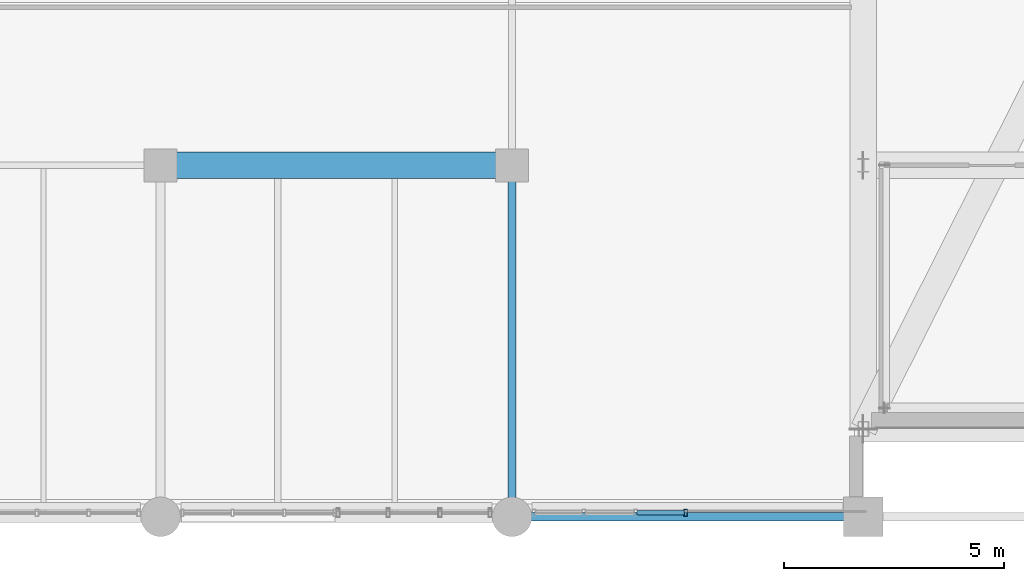
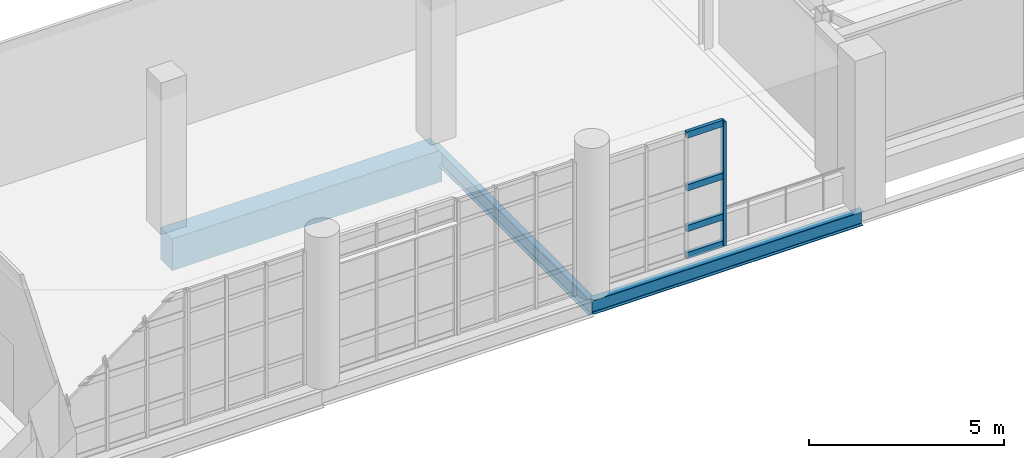
# One storey, part 18 of 100: 5 members, 3 beams, 1 element without a shape of its own.
"""IFC4 building model written with IfcOpenShell, lengths in metres."""

from ifc_helpers import new_model, si_unit, derived_unit, direction, frame, origin, origin_2d, place, context, subcontext, project, spatial, rectangle, hollow_rectangle, i_section, extrude, material, layer, layer_set, material_profile, profile_set, type_object, element, aggregate, save


model = new_model("IFC4")

# Units and contexts
model_context = context("Model", 3, precision=1e-05, world=origin(), true_north=direction((0.0, 1.0)))
body_context = subcontext(model_context, "Body", "Model", "MODEL_VIEW")
ifc_project = project(units=[si_unit("LENGTHUNIT", "METRE"), si_unit("AREAUNIT", "SQUARE_METRE"), si_unit("VOLUMEUNIT", "CUBIC_METRE"), si_unit("PLANEANGLEUNIT", "RADIAN"), si_unit("MASSUNIT", "GRAM", prefix="KILO"), derived_unit("THERMALTRANSMITTANCEUNIT", [(si_unit("POWERUNIT", "WATT"), 1), (si_unit("LENGTHUNIT", "METRE"), -2), (si_unit("THERMODYNAMICTEMPERATUREUNIT", "KELVIN"), -1)])], contexts=[model_context])

# Site, building, storey
site_placement = place(None, origin())
site = spatial("IfcSite", under=ifc_project, at=site_placement, CompositionType="ELEMENT")
building_placement = place(site_placement, origin())
building = spatial("IfcBuilding", under=site, at=building_placement, Name="Nallur Shell Playhouse", CompositionType="ELEMENT")
storey_placement = place(building_placement, frame((0.0, 0.0, 10.199951171875)))
storey = spatial("IfcBuildingStorey", under=building, at=storey_placement, Name="L03", CompositionType="ELEMENT", Elevation=10.199951171875)

# Beams
ifc_material_1 = material(Name="Concrete M40", Category="concrete")
ifc_material_profile_1 = material_profile(ifc_material_1, rectangle(XDim=0.60009765625, YDim=1.0, at=origin_2d()), Name="RC 600x1000")
ifc_profile_set_1 = profile_set([ifc_material_profile_1], Name="Concrete M40")
beam_type_1 = type_object("IfcBeamType", Name="BM-RC-600x1000", PredefinedType="BEAM", material=ifc_profile_set_1)
beam_1_placement = place(storey_placement, frame((48.0, 16.0, -0.760009765625), z_axis=(1.0, 0.0, 0.0), x_axis=(0.0, 1.0, 0.0)))
element("IfcBeam", 1, at=beam_1_placement, inside=storey, type_object=beam_type_1, Name="L03 girder X-B-588", PredefinedType="BEAM", context=body_context, shape_type="SweptSolid", body=[
    extrude(rectangle(XDim=0.60009765625, YDim=1.0, at=origin_2d()), origin(), (0.0, 0.0, 1.0), 8.0),
])
ifc_material_2 = material(Name="Steel E350", Category="steel")
ifc_material_profile_2 = material_profile(ifc_material_2, i_section(OverallWidth=0.179931640625, OverallDepth=0.5, WebThickness=0.01025390625, FlangeThickness=0.01708984375, FilletRadius=0.01708984375, at=origin_2d()), Name="ISMB 500")
ifc_profile_set_2 = profile_set([ifc_material_profile_2], Name="Steel E350")
beam_type_2 = type_object("IfcBeamType", Name="BM-ST-ISMB500", PredefinedType="BEAM", material=ifc_profile_set_2)
beam_2_placement = place(storey_placement, frame((56.0, 8.0, -0.510009765625), z_axis=(0.0, 1.0, 0.0), x_axis=(-1.0, 0.0, 0.0)))
element("IfcBeam", 2, at=beam_2_placement, inside=storey, type_object=beam_type_2, Name="L03 girder Y-7-650", PredefinedType="BEAM", context=body_context, shape_type="SweptSolid", body=[
    extrude(i_section(OverallWidth=0.179931640625, OverallDepth=0.5, WebThickness=0.01025390625, FlangeThickness=0.01708984375, FilletRadius=0.01708984375, at=origin_2d()), origin(), (0.0, 0.0, 1.0), 8.0),
])
ifc_material_profile_3 = material_profile(ifc_material_2, i_section(OverallWidth=0.199951171875, OverallDepth=0.449951171875, WebThickness=0.00927734375, FlangeThickness=0.015380859375, FilletRadius=0.013916015625, at=origin_2d()), Name="ISWB 450")
ifc_profile_set_3 = profile_set([ifc_material_profile_3], Name="Steel E350")
beam_type_3 = type_object("IfcBeamType", Name="BM-ST-ISWB450", PredefinedType="BEAM", material=ifc_profile_set_3)
beam_3_placement = place(storey_placement, frame((56.0, 8.0, -0.48486328125), z_axis=(1.0, 0.0, 0.0), x_axis=(0.0, 1.0, 0.0)))
element("IfcBeam", 3, at=beam_3_placement, inside=storey, type_object=beam_type_3, Name="L03 girder X-A-580", PredefinedType="BEAM", context=body_context, shape_type="SweptSolid", body=[
    extrude(i_section(OverallWidth=0.199951171875, OverallDepth=0.449951171875, WebThickness=0.00927734375, FlangeThickness=0.015380859375, FilletRadius=0.013916015625, at=origin_2d()), origin(), (0.0, 0.0, 1.0), 8.0),
])

# Curtain wall, members
ifc_material_3 = material(Name="Anodised Aluminium Double-Glazed Facade System", Category="aluminium")
ifc_layer = layer(ifc_material_3, 0.16796875)
ifc_layer_set = layer_set([ifc_layer], Name="Anodised Aluminium Double-Glazed Facade System")
curtain_wall_type = type_object("IfcCurtainWallType", Name="CW-UNIT-02", PredefinedType="NOTDEFINED", material=ifc_layer_set)
curtain_wall_placement = place(storey_placement, origin())
curtain_wall = element("IfcCurtainWall", 4, at=curtain_wall_placement, inside=storey, type_object=curtain_wall_type, Name="Unitised curtain wall CW-098 (L03)", PredefinedType="NOTDEFINED")
ifc_material_4 = material(Name="Aluminium Alloy 6063-T6 Mullion", Category="aluminium")
ifc_material_profile_4 = material_profile(ifc_material_4, hollow_rectangle(XDim=0.080078125, YDim=0.159912109375, WallThickness=0.006103515625, at=origin_2d()), Name="RHS 160x80x6")
ifc_profile_set_4 = profile_set([ifc_material_profile_4], Name="Aluminium Alloy 6063-T6 Mullion")
member_type_1 = type_object("IfcMemberType", Name="MB-CW-MUL150", PredefinedType="MULLION", material=ifc_profile_set_4)
member_1_placement = place(storey_placement, frame((59.955078125, 8.090087890625, -0.014892578125), z_axis=(0.0, 0.0, 1.0), x_axis=(-1.0, 0.0, 0.0)))
member_1 = element("IfcMember", 5, at=member_1_placement, type_object=member_type_1, Name="CW-02 mullion 1", PredefinedType="MULLION", context=body_context, shape_type="SweptSolid", body=[
    extrude(hollow_rectangle(XDim=0.080078125, YDim=0.159912109375, WallThickness=0.006103515625, at=origin_2d()), origin(), (0.0, 0.0, 1.0), 3.904052734375),
])
ifc_material_5 = material(Name="Aluminium Alloy 6063-T6 Transom", Category="aluminium")
ifc_material_profile_5 = material_profile(ifc_material_5, hollow_rectangle(XDim=0.10009765625, YDim=0.199951171875, WallThickness=0.008056640625, at=origin_2d()), Name="RHS 200x100x8")
ifc_profile_set_5 = profile_set([ifc_material_profile_5], Name="Aluminium Alloy 6063-T6 Transom")
member_type_2 = type_object("IfcMemberType", Name="MB-CW-TRN140", PredefinedType="USERDEFINED", material=ifc_profile_set_5)
member_2_placement = place(storey_placement, frame((59.923095703125, 8.090087890625, 0.050048828125), z_axis=(-1.0, 0.0, 0.0), x_axis=(0.0, -1.0, 0.0)))
member_2 = element("IfcMember", 6, at=member_2_placement, type_object=member_type_2, Name="CW-02 transom 1.1", ObjectType="TRANSOM", PredefinedType="USERDEFINED", context=body_context, shape_type="SweptSolid", body=[
    extrude(hollow_rectangle(XDim=0.10009765625, YDim=0.199951171875, WallThickness=0.008056640625, at=origin_2d()), origin(), (0.0, 0.0, 1.0), 1.0751953125),
])
member_3_placement = place(storey_placement, frame((59.923095703125, 8.090087890625, 0.900146484375), z_axis=(-1.0, 0.0, 0.0), x_axis=(0.0, -1.0, 0.0)))
member_3 = element("IfcMember", 7, at=member_3_placement, type_object=member_type_2, Name="CW-02 transom 1.2", ObjectType="TRANSOM", PredefinedType="USERDEFINED", context=body_context, shape_type="SweptSolid", body=[
    extrude(hollow_rectangle(XDim=0.10009765625, YDim=0.199951171875, WallThickness=0.008056640625, at=origin_2d()), origin(), (0.0, 0.0, 1.0), 1.0751953125),
])
member_4_placement = place(storey_placement, frame((59.923095703125, 8.090087890625, 2.176025390625), z_axis=(-1.0, 0.0, 0.0), x_axis=(0.0, -1.0, 0.0)))
member_4 = element("IfcMember", 8, at=member_4_placement, type_object=member_type_2, Name="CW-02 transom 1.3", ObjectType="TRANSOM", PredefinedType="USERDEFINED", context=body_context, shape_type="SweptSolid", body=[
    extrude(hollow_rectangle(XDim=0.10009765625, YDim=0.199951171875, WallThickness=0.008056640625, at=origin_2d()), origin(), (0.0, 0.0, 1.0), 1.0751953125),
])
member_5_placement = place(storey_placement, frame((59.923095703125, 8.090087890625, 3.8349609375), z_axis=(-1.0, 0.0, 0.0), x_axis=(0.0, -1.0, 0.0)))
member_5 = element("IfcMember", 9, at=member_5_placement, type_object=member_type_2, Name="CW-02 transom 1.4", ObjectType="TRANSOM", PredefinedType="USERDEFINED", context=body_context, shape_type="SweptSolid", body=[
    extrude(hollow_rectangle(XDim=0.10009765625, YDim=0.199951171875, WallThickness=0.008056640625, at=origin_2d()), origin(), (0.0, 0.0, 1.0), 1.0751953125),
])
aggregate(curtain_wall, [member_1, member_2, member_3, member_4, member_5])

save(model, "model.ifc")
